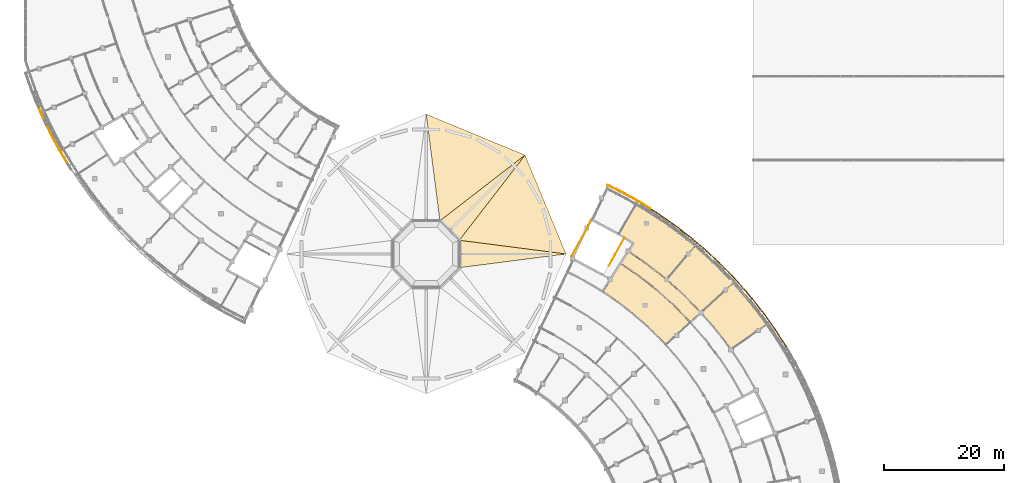
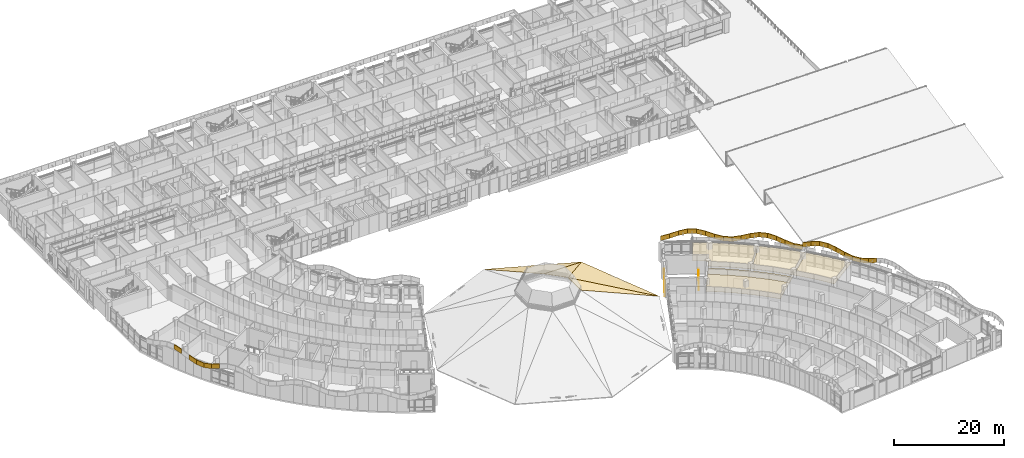
# One storey, part 121 of 137: 39 coverings, 2 railings.
"""IFC4 building model written with IfcOpenShell, lengths in metres."""

from ifc_helpers import new_model, si_unit, direction, frame, origin, origin_2d, place, context, subcontext, project, spatial, polyline, circle, outline, extrude, material, layer, layer_set, type_object, element, save


model = new_model("IFC4")

# Units and contexts
model_context = context("Model", 3, precision=1e-05, world=origin(), true_north=direction((0.0, 1.0)))
body_context = subcontext(model_context, "Body", "Model", "MODEL_VIEW")
ifc_project = project(units=[si_unit("LENGTHUNIT", "METRE"), si_unit("AREAUNIT", "SQUARE_METRE"), si_unit("VOLUMEUNIT", "CUBIC_METRE"), si_unit("PLANEANGLEUNIT", "RADIAN"), si_unit("MASSUNIT", "GRAM", prefix="KILO")], contexts=[model_context])

# Site, building, storey
site_placement = place(None, origin())
site = spatial("IfcSite", under=ifc_project, at=site_placement, CompositionType="ELEMENT")
building_placement = place(site_placement, origin())
building = spatial("IfcBuilding", under=site, at=building_placement, Name="Bougainvillea Quay General Hospital", CompositionType="ELEMENT")
storey_placement = place(building_placement, frame((0.0, 0.0, 16.800048828125)))
storey = spatial("IfcBuildingStorey", under=building, at=storey_placement, Name="L03", CompositionType="ELEMENT", Elevation=16.800048828125)

# Coverings
ifc_material_1 = material(Name="Powder-coated aluminium fascia, red", Category="aluminium")
ifc_layer_1 = layer(ifc_material_1, 0.14990234375)
ifc_layer_set_1 = layer_set([ifc_layer_1], Name="Powder-coated aluminium fascia, red")
covering_type_1 = type_object("IfcCoveringType", Name="Aluminium wave fascia ribbon red 150x1000", PredefinedType="CLADDING", material=ifc_layer_set_1)
covering_1_placement = place(storey_placement, frame((44.64013671875, 98.17724609375, 4.474609375), z_axis=(0.088535373771, -0.197292356848, 0.976338677673), x_axis=(0.396705177495, -0.892111388261, -0.216245862583)))
element("IfcCovering", 1, at=covering_1_placement, inside=storey, type_object=covering_type_1, Name="Fascia ribbon red a01 5", PredefinedType="CLADDING", context=body_context, shape_type="SweptSolid", body=[
    extrude(outline(polyline([(0.0, 0.0), (1.6696436418658671, -1.5504091066542713e-17), (1.6714100657464934, -0.14987304292022158), (-0.001901330484022671, -0.1501449625719719), (0.0, 0.0)])), origin(), (-0.216245862583, -0.000716515763, 0.976338677673), 1.0),
])
covering_2_placement = place(storey_placement, frame((45.999267578125, 95.214111328125, 3.514404296875), z_axis=(0.129574212223, -0.258207776808, 0.957360573411), x_axis=(0.429291347924, -0.85571502684, -0.288895710314)))
element("IfcCovering", 2, at=covering_2_placement, inside=storey, type_object=covering_type_1, Name="Fascia ribbon red a01 7", PredefinedType="CLADDING", context=body_context, shape_type="SweptSolid", body=[
    extrude(outline(polyline([(0.0, 0.0), (1.702646859481912, 3.300040362502754e-18), (1.7045475549734825, -0.15001994275865757), (-0.0018672287511904257, -0.1499060927871428), (0.0, 0.0)])), origin(), (-0.288895710314, -3.223594e-05, 0.957360573411), 1.0),
])
covering_3_placement = place(storey_placement, frame((46.730224609375, 93.757080078125, 3.022216796875), z_axis=(0.029796781615, -0.056030343245, 0.997984344788), x_axis=(0.467885293385, -0.881507859981, -0.063460578521)))
element("IfcCovering", 3, at=covering_3_placement, inside=storey, type_object=covering_type_1, Name="Fascia ribbon red a01 8", PredefinedType="CLADDING", context=body_context, shape_type="SweptSolid", body=[
    extrude(outline(polyline([(0.0, 0.0), (1.633212915989829, -1.6912876264416066e-16), (1.6351460473712085, -0.14999933704123503), (-0.0016952183233290847, -0.15002088914945402), (0.0, 0.0)])), origin(), (-0.063460578521, -5.0323608e-05, 0.997984344788), 1.0),
])
covering_4_placement = place(storey_placement, frame((47.494384765625, 92.3173828125, 2.918701171875), z_axis=(-0.101209773988, 0.180059249072, 0.97843510182), x_axis=(0.478749277358, -0.853307918315, 0.206554414065)))
element("IfcCovering", 4, at=covering_4_placement, inside=storey, type_object=covering_type_1, Name="Fascia ribbon red a01 9", PredefinedType="CLADDING", context=body_context, shape_type="SweptSolid", body=[
    extrude(outline(polyline([(0.0, 0.0), (1.6660467825463312, 1.1268926330271212e-17), (1.6678723366923331, -0.1499464494501083), (-0.001593403077977143, -0.1500033449136672), (0.0, 0.0)])), origin(), (0.206554414065, 0.00015986618, 0.97843510182), 1.0),
])
covering_5_placement = place(storey_placement, frame((48.2919921875, 90.895751953125, 3.263427734375), z_axis=(-0.174552972388, 0.294732415038, 0.939502029459), x_axis=(0.478539909912, -0.808494666044, 0.342543325143)))
element("IfcCovering", 5, at=covering_5_placement, inside=storey, type_object=covering_type_1, Name="Fascia ribbon red a01 10", PredefinedType="CLADDING", context=body_context, shape_type="SweptSolid", body=[
    extrude(outline(polyline([(0.0, 0.0), (1.7350769135978665, 4.1131919918668824e-17), (1.736957767049844, -0.14996981632652395), (-0.0018073729427414997, -0.14994826273386894), (0.0, 0.0)])), origin(), (0.342543325143, 8.3923777e-05, 0.939502029459), 1.0),
])
covering_6_placement = place(storey_placement, frame((160.421142578125, 70.15087890625, 2.938720703125), z_axis=(0.01943502441, -0.019979295805, 0.999611478308), x_axis=(-0.692980251999, 0.720417588809, 0.027872353237)))
element("IfcCovering", 6, at=covering_6_placement, inside=storey, type_object=covering_type_1, Name="Fascia ribbon red a10 1", PredefinedType="CLADDING", context=body_context, shape_type="SweptSolid", body=[
    extrude(outline(polyline([(0.0, 0.0), (1.6283558341468687, 1.0105103060743803e-17), (1.6300586247721616, -0.15001370542646486), (-2.254853584902905e-05, -0.1500472037747733), (0.0, 0.0)])), origin(), (0.027872353237, 0.000156075982, 0.999611478308), 1.0),
])
covering_7_placement = place(storey_placement, frame((159.292724609375, 71.323974609375, 2.984375), z_axis=(0.190840678841, -0.189527554904, 0.96315063268), x_axis=(-0.683639863933, 0.678450946082, 0.268962544237)))
element("IfcCovering", 7, at=covering_7_placement, inside=storey, type_object=covering_type_1, Name="Fascia ribbon red a10 2", PredefinedType="CLADDING", context=body_context, shape_type="SweptSolid", body=[
    extrude(outline(polyline([(0.0, 0.0), (1.6938126429168174, 8.661420105443574e-17), (1.695555057601261, -0.15002596622946035), (-0.0018456610668003187, -0.15001281214801535), (0.0, 0.0)])), origin(), (0.268962544237, -9.2552735e-05, 0.96315063268), 1.0),
])
covering_8_placement = place(storey_placement, frame((158.134765625, 72.47314453125, 3.4404296875), z_axis=(0.251819360334, -0.239602022803, 0.937644858371), x_axis=(-0.68080400892, 0.644735889456, 0.347593921533)))
element("IfcCovering", 8, at=covering_8_placement, inside=storey, type_object=covering_type_1, Name="Fascia ribbon red a10 3", PredefinedType="CLADDING", context=body_context, shape_type="SweptSolid", body=[
    extrude(outline(polyline([(0.0, 0.0), (1.7396208659829075, 1.6620819304202783e-16), (1.7415552888807282, -0.14995008327842738), (-0.0018922793971837448, -0.1500241396056143), (0.0, 0.0)])), origin(), (0.347593921533, -0.000765038403, 0.937644858371), 1.0),
])
covering_9_placement = place(storey_placement, frame((156.950439453125, 73.5947265625, 4.045654296875), z_axis=(0.178764791517, -0.162757985448, 0.970336533109), x_axis=(-0.719683951708, 0.650852220652, 0.241756895508)))
element("IfcCovering", 9, at=covering_9_placement, inside=storey, type_object=covering_type_1, Name="Fascia ribbon red a10 4", PredefinedType="CLADDING", context=body_context, shape_type="SweptSolid", body=[
    extrude(outline(polyline([(0.0, 0.0), (1.6812496456665464, -2.7863995832877464e-16), (1.6829498817373216, -0.14994378451723964), (-0.0016639680770464006, -0.14995174392046506), (0.0, 0.0)])), origin(), (0.241756895508, -0.000784848606, 0.970336533109), 1.0),
])
covering_10_placement = place(storey_placement, frame((155.740478515625, 74.68896484375, 4.452392578125), z_axis=(-0.011761466701, 0.01016626239, 0.999879150203), x_axis=(-0.757037652792, 0.653186273169, -0.015546214944)))
element("IfcCovering", 10, at=covering_10_placement, inside=storey, type_object=covering_type_1, Name="Fascia ribbon red a10 5", PredefinedType="CLADDING", context=body_context, shape_type="SweptSolid", body=[
    extrude(outline(polyline([(0.0, 0.0), (1.631501067922496, 7.330223125538715e-17), (1.6331020082571388, -0.14985024360218493), (-0.0018673435128252897, -0.14994100485900574), (0.0, 0.0)])), origin(), (-0.015546214944, 1.3814816e-05, 0.999879150203), 1.0),
])
covering_11_placement = place(storey_placement, frame((154.50537109375, 75.754638671875, 4.4267578125), z_axis=(-0.202033367544, 0.166443101321, 0.965131707293), x_axis=(-0.745139436318, 0.613389307463, -0.261764737757)))
element("IfcCovering", 11, at=covering_11_placement, inside=storey, type_object=covering_type_1, Name="Fascia ribbon red a10 6", PredefinedType="CLADDING", context=body_context, shape_type="SweptSolid", body=[
    extrude(outline(polyline([(0.0, 0.0), (1.689989725789665, -5.2366964931049864e-17), (1.6918106058599927, -0.15002523313698551), (-0.0019333889299564153, -0.14984712096025582), (0.0, 0.0)])), origin(), (-0.261764737757, 9.8211295e-05, 0.965131707293), 1.0),
])
covering_12_placement = place(storey_placement, frame((153.24609375, 76.791259765625, 3.983642578125), z_axis=(-0.274070861506, 0.214370881018, 0.93751282031), x_axis=(-0.737436758287, 0.578893465108, -0.347950260214)))
element("IfcCovering", 12, at=covering_12_placement, inside=storey, type_object=covering_type_1, Name="Fascia ribbon red a10 7", PredefinedType="CLADDING", context=body_context, shape_type="SweptSolid", body=[
    extrude(outline(polyline([(0.0, 0.0), (1.7400875693165878, 2.3505503099485736e-16), (1.741751551354889, -0.14990364520310345), (-0.001871834212452697, -0.15002559923463815), (0.0, 0.0)])), origin(), (-0.347950260214, -0.000572863134, 0.93751282031), 1.0),
])
covering_13_placement = place(storey_placement, frame((151.962890625, 77.798583984375, 3.377685546875), z_axis=(-0.199903039623, 0.149673079514, 0.968316448285), x_axis=(-0.775383006002, 0.580015473495, -0.249726339239)))
element("IfcCovering", 13, at=covering_13_placement, inside=storey, type_object=covering_type_1, Name="Fascia ribbon red a10 8", PredefinedType="CLADDING", context=body_context, shape_type="SweptSolid", body=[
    extrude(outline(polyline([(0.0, 0.0), (1.6845213597525277, 1.2302984152279262e-16), (1.6863520431898642, -0.1499046834958493), (-0.0019592679031016575, -0.14990007583537368), (0.0, 0.0)])), origin(), (-0.249726339239, 0.000107106131, 0.968316448285), 1.0),
])
covering_14_placement = place(storey_placement, frame((150.65673828125, 78.775634765625, 2.956787109375), z_axis=(0.002800679317, -0.001994889463, 0.999994088288), x_axis=(-0.81444600009, 0.580229169853, 0.003438515452)))
element("IfcCovering", 14, at=covering_14_placement, inside=storey, type_object=covering_type_1, Name="Fascia ribbon red a10 9", PredefinedType="CLADDING", context=body_context, shape_type="SweptSolid", body=[
    extrude(outline(polyline([(0.0, 0.0), (1.6313092553386748, -2.4408842561908766e-17), (1.6330536852078907, -0.1501365488607557), (-0.0017177206507230508, -0.14990522592406397), (0.0, 0.0)])), origin(), (0.003438515452, 3.06091e-07, 0.999994088288), 1.0),
])
covering_15_placement = place(storey_placement, frame((149.328125, 79.72216796875, 2.962646484375), z_axis=(0.210454146165, -0.142785998873, 0.967120060224), x_axis=(-0.800369277849, 0.542890625029, 0.254320247584)))
element("IfcCovering", 15, at=covering_15_placement, inside=storey, type_object=covering_type_1, Name="Fascia ribbon red a10 10", PredefinedType="CLADDING", context=body_context, shape_type="SweptSolid", body=[
    extrude(outline(polyline([(0.0, 0.0), (1.6868324013656026, 1.3497639421086727e-16), (1.688576409011926, -0.14990670591947527), (-0.0017769754346645453, -0.15013695545463598), (0.0, 0.0)])), origin(), (0.254320247584, -2.7943853e-05, 0.967120060224), 1.0),
])
covering_16_placement = place(storey_placement, frame((147.97802734375, 80.637939453125, 3.39208984375), z_axis=(0.292905892321, -0.188118092541, 0.937452783612), x_axis=(-0.787903504301, 0.507962705503, 0.34811199021)))
element("IfcCovering", 16, at=covering_16_placement, inside=storey, type_object=covering_type_1, Name="Fascia ribbon red a10 11", PredefinedType="CLADDING", context=body_context, shape_type="SweptSolid", body=[
    extrude(outline(polyline([(0.0, 0.0), (1.7398850142292697, 8.673617379884035e-18), (1.7416409675826197, -0.14995904243134575), (-0.0019694137478922383, -0.1499049084773347), (0.0, 0.0)])), origin(), (0.34811199021, 0.000566365186, 0.937452783612), 1.0),
])
covering_17_placement = place(storey_placement, frame((146.607177734375, 81.521728515625, 3.998291015625), z_axis=(0.21954325736, -0.134409959855, 0.96629949852), x_axis=(-0.824017774645, 0.50470727189, 0.257420428037)))
element("IfcCovering", 17, at=covering_17_placement, inside=storey, type_object=covering_type_1, Name="Fascia ribbon red a10 12", PredefinedType="CLADDING", context=body_context, shape_type="SweptSolid", body=[
    extrude(outline(polyline([(0.0, 0.0), (1.688205571466832, 1.780802068307441e-16), (1.6900986358963979, -0.14975771298057383), (-0.0018361503374658022, -0.1499580871623774), (0.0, 0.0)])), origin(), (0.257420428037, 4.8882474e-05, 0.96629949852), 1.0),
])
covering_18_placement = place(storey_placement, frame((145.216064453125, 82.373779296875, 4.43310546875), z_axis=(0.007368271518, -0.004280813113, 0.999963690948), x_axis=(-0.864690457765, 0.502232810024, 0.00852154828)))
element("IfcCovering", 18, at=covering_18_placement, inside=storey, type_object=covering_type_1, Name="Fascia ribbon red a10 13", PredefinedType="CLADDING", context=body_context, shape_type="SweptSolid", body=[
    extrude(outline(polyline([(0.0, 0.0), (1.6313868417139212, 2.4232130313287838e-17), (1.6330209590625153, -0.15009967270258193), (-0.0016689728651777674, -0.14975958158523753), (0.0, 0.0)])), origin(), (0.00852154828, -9.90541e-07, 0.999963690948), 1.0),
])
covering_19_placement = place(storey_placement, frame((143.805419921875, 83.193115234375, 4.44677734375), z_axis=(-0.216212026943, 0.118147224119, 0.969171601337), x_axis=(-0.849124174524, 0.467206818024, -0.246385724891)))
element("IfcCovering", 19, at=covering_19_placement, inside=storey, type_object=covering_type_1, Name="Fascia ribbon red a10 14", PredefinedType="CLADDING", context=body_context, shape_type="SweptSolid", body=[
    extrude(outline(polyline([(0.0, 0.0), (1.6831678283962972, -8.814563662307151e-17), (1.6849321034162956, -0.15006461436646834), (-0.0019096066132189302, -0.15009718903907535), (0.0, 0.0)])), origin(), (-0.246385724891, -0.000694068974, 0.969171601337), 1.0),
])
covering_20_placement = place(storey_placement, frame((142.376220703125, 83.9794921875, 4.031494140625), z_axis=(-0.308957332455, 0.159854368622, 0.937545704249), x_axis=(-0.831606644076, 0.432923789926, -0.347861152824)))
element("IfcCovering", 20, at=covering_20_placement, inside=storey, type_object=covering_type_1, Name="Fascia ribbon red a10 15", PredefinedType="CLADDING", context=body_context, shape_type="SweptSolid", body=[
    extrude(outline(polyline([(0.0, 0.0), (1.7397506500413442, -1.6382294826255972e-16), (1.7416019485706025, -0.14989905907416406), (-0.001846878930866029, -0.15006523161215946), (0.0, 0.0)])), origin(), (-0.347861152824, -0.000819024261, 0.937545704249), 1.0),
])
covering_21_placement = place(storey_placement, frame((140.929443359375, 84.732666015625, 3.42578125), z_axis=(-0.237910350035, 0.116875716659, 0.964229605541), x_axis=(-0.865448454184, 0.425132573904, -0.265068420896)))
element("IfcCovering", 21, at=covering_21_placement, inside=storey, type_object=covering_type_1, Name="Fascia ribbon red a10 16", PredefinedType="CLADDING", context=body_context, shape_type="SweptSolid", body=[
    extrude(outline(polyline([(0.0, 0.0), (1.68834696803499, -5.642933494608149e-17), (1.6882765376485551, -0.14991147113557218), (-0.0017789814822864634, -0.14989993775893512), (0.0, 0.0)])), origin(), (-0.265068420896, 6.468845e-06, 0.964229605541), 1.0),
])
covering_22_placement = place(storey_placement, frame((169.29345703125, 58.482177734375, 4.02880859375), z_axis=(-0.183995274427, 0.295241648042, 0.937538323617), x_axis=(-0.49584709729, 0.795684462846, -0.347882008293)))
element("IfcCovering", 22, at=covering_22_placement, inside=storey, type_object=covering_type_1, Name="Fascia ribbon red a14 20", PredefinedType="CLADDING", context=body_context, shape_type="SweptSolid", body=[
    extrude(outline(polyline([(0.0, 0.0), (1.7400023752888063, 1.209766336586482e-16), (1.7418496425814443, -0.1500693700708946), (-0.001840827259350245, -0.14997031995426258), (0.0, 0.0)])), origin(), (-0.347882008293, -7.466918e-06, 0.937538323617), 1.0),
])
covering_23_placement = place(storey_placement, frame((168.4306640625, 59.86669921875, 3.4228515625), z_axis=(-0.144699273172, 0.22069859469, 0.964548729015), x_axis=(-0.528956730958, 0.806572394949, -0.263904809506)))
element("IfcCovering", 23, at=covering_23_placement, inside=storey, type_object=covering_type_1, Name="Fascia ribbon red a14 21", PredefinedType="CLADDING", context=body_context, shape_type="SweptSolid", body=[
    extrude(outline(polyline([(0.0, 0.0), (1.6911219298308982, -4.5766884206044356e-17), (1.692932039278575, -0.15004185029849154), (-0.0018437337713359768, -0.15006845176344485), (0.0, 0.0)])), origin(), (-0.263904809506, 2.9567864e-05, 0.964548729015), 1.0),
])
covering_24_placement = place(storey_placement, frame((167.5361328125, 61.230712890625, 2.976318359375), z_axis=(-0.01086263049, 0.01574925796, 0.999816965315), x_axis=(-0.56754861643, 0.823117568837, -0.01913206366)))
element("IfcCovering", 24, at=covering_24_placement, inside=storey, type_object=covering_type_1, Name="Fascia ribbon red a14 22", PredefinedType="CLADDING", context=body_context, shape_type="SweptSolid", body=[
    extrude(outline(polyline([(0.0, 0.0), (1.631623670029551, -3.642919299551295e-17), (1.6334052451002423, -0.1500969990234308), (-0.0017383955732261508, -0.15004190016747385), (0.0, 0.0)])), origin(), (-0.01913206366, -2.752435e-06, 0.999816965315), 1.0),
])
covering_25_placement = place(storey_placement, frame((166.610107421875, 62.57373046875, 2.945068359375), z_axis=(0.13976671345, -0.194228610454, 0.970948254385), x_axis=(-0.56946751581, 0.786414483864, 0.239288545495)))
element("IfcCovering", 25, at=covering_25_placement, inside=storey, type_object=covering_type_1, Name="Fascia ribbon red a14 23", PredefinedType="CLADDING", context=body_context, shape_type="SweptSolid", body=[
    extrude(outline(polyline([(0.0, 0.0), (1.6801578651281839, 2.636237582398504e-16), (1.6820032735488162, -0.14989355734706397), (-0.0016930761011657298, -0.15009821418667155), (0.0, 0.0)])), origin(), (0.239288545495, -0.000692316475, 0.970948254385), 1.0),
])
covering_26_placement = place(storey_placement, frame((165.6533203125, 63.89501953125, 3.34765625), z_axis=(0.209515593479, -0.277044396845, 0.937736433261), x_axis=(-0.567547616295, 0.746485110205, 0.347346633034)))
element("IfcCovering", 26, at=covering_26_placement, inside=storey, type_object=covering_type_1, Name="Fascia ribbon red a14 24", PredefinedType="CLADDING", context=body_context, shape_type="SweptSolid", body=[
    extrude(outline(polyline([(0.0, 0.0), (1.7395995552335584, 7.134050294954619e-17), (1.7413589137646068, -0.1499649699288236), (-0.0017778607823753945, -0.1498943852016538), (0.0, 0.0)])), origin(), (0.347346633034, -0.000835616149, 0.937736433261), 1.0),
])
covering_27_placement = place(storey_placement, frame((164.666015625, 65.193603515625, 3.95263671875), z_axis=(0.168851506407, -0.212112807394, 0.962547310901), x_axis=(-0.600138362327, 0.752549881206, 0.271113670552)))
element("IfcCovering", 27, at=covering_27_placement, inside=storey, type_object=covering_type_1, Name="Fascia ribbon red a14 25", PredefinedType="CLADDING", context=body_context, shape_type="SweptSolid", body=[
    extrude(outline(polyline([(0.0, 0.0), (1.694759014856865, -1.1691765177540558e-16), (1.6964352162195373, -0.14991841916574614), (-0.0019282294567652355, -0.1499619000753327), (0.0, 0.0)])), origin(), (0.271113670552, -0.00022785177, 0.962547310901), 1.0),
])
covering_28_placement = place(storey_placement, frame((163.64892578125, 66.468994140625, 4.412353515625), z_axis=(0.019929456563, -0.023849590785, 0.999516890193), x_axis=(-0.641301270206, 0.766659438641, 0.031080314897)))
element("IfcCovering", 28, at=covering_28_placement, inside=storey, type_object=covering_type_1, Name="Fascia ribbon red a14 26", PredefinedType="CLADDING", context=body_context, shape_type="SweptSolid", body=[
    extrude(outline(polyline([(0.0, 0.0), (1.6320441586692624, 5.199427043425797e-17), (1.633796131879732, -0.1501092532077251), (-0.0019032085999678983, -0.149914903211618), (0.0, 0.0)])), origin(), (0.031080314897, -1.5666884e-05, 0.999516890193), 1.0),
])
covering_29_placement = place(storey_placement, frame((162.602294921875, 67.72021484375, 4.462890625), z_axis=(-0.152916005999, 0.173022706297, 0.972974736679), x_axis=(-0.64129608449, 0.731724020183, -0.230909701628)))
element("IfcCovering", 29, at=covering_29_placement, inside=storey, type_object=covering_type_1, Name="Fascia ribbon red a14 27", PredefinedType="CLADDING", context=body_context, shape_type="SweptSolid", body=[
    extrude(outline(polyline([(0.0, 0.0), (1.6766122910870174, -6.21247844834194e-17), (1.6785403114446398, -0.15004394379645272), (-0.0017718463835375412, -0.1501098117662642), (0.0, 0.0)])), origin(), (-0.230909701628, -0.000933530584, 0.972974736679), 1.0),
])
covering_30_placement = place(storey_placement, frame((161.527099609375, 68.947021484375, 4.0751953125), z_axis=(-0.234760150151, 0.25491854941, 0.938032091705), x_axis=(-0.634481868214, 0.69089591818, -0.346548105102)))
element("IfcCovering", 30, at=covering_30_placement, inside=storey, type_object=covering_type_1, Name="Fascia ribbon red a14 28", PredefinedType="CLADDING", context=body_context, shape_type="SweptSolid", body=[
    extrude(outline(polyline([(0.0, 0.0), (1.7353640289779546, -1.3341107732434132e-16), (1.7353621773329595, -0.15015440579561948), (-0.0017186610637115614, -0.1500480720637602), (0.0, 0.0)])), origin(), (-0.346548105102, -0.000453632019, 0.938032091705), 1.0),
])

# Railings
ifc_material_2 = material(Name="Stainless steel 304 balustrade", Category="steel")
railing_type = type_object("IfcRailingType", Name="Stair guard 1100", PredefinedType="GUARDRAIL", material=ifc_material_2)
railing_1_placement = place(storey_placement, frame((142.337646484375, 76.688720703125, 0.0)))
element("IfcRailing", 31, at=railing_1_placement, inside=storey, type_object=railing_type, Name="L03 ST-E1 top well guard 1", PredefinedType="GUARDRAIL", context=body_context, shape_type="SweptSolid", body=[
    extrude(circle(Radius=0.02392578125, at=origin_2d()), frame((0.0, 0.0, 1.076171875), z_axis=(-0.48720056452, -0.873290106397, 0.0), x_axis=(0.873290106397, -0.48720056452, 0.0)), (0.0, 0.0, 1.0), 5.30712890625),
    extrude(circle(Radius=0.02099609375, at=origin_2d()), origin(), (0.0, 0.0, 1.0), 1.052001953125),
    extrude(circle(Radius=0.02099609375, at=origin_2d()), frame((-0.51708984375, -0.927001953125, 0.0)), (0.0, 0.0, 1.0), 1.052001953125),
    extrude(circle(Radius=0.02099609375, at=origin_2d()), frame((-1.0341796875, -1.85400390625, 0.0)), (0.0, 0.0, 1.0), 1.052001953125),
    extrude(circle(Radius=0.02099609375, at=origin_2d()), frame((-1.551513671875, -2.78076171875, 0.0)), (0.0, 0.0, 1.0), 1.052001953125),
    extrude(circle(Radius=0.02099609375, at=origin_2d()), frame((-2.068603515625, -3.707763671875, 0.0)), (0.0, 0.0, 1.0), 1.052001953125),
    extrude(circle(Radius=0.02099609375, at=origin_2d()), frame((-2.585693359375, -4.634765625, 0.0)), (0.0, 0.0, 1.0), 1.052001953125),
])
railing_2_placement = place(storey_placement, frame((136.93701171875, 79.816162109375, 0.0)))
element("IfcRailing", 32, at=railing_2_placement, inside=storey, type_object=railing_type, Name="L03 ST-E1 top well guard 2", PredefinedType="GUARDRAIL", context=body_context, shape_type="SweptSolid", body=[
    extrude(circle(Radius=0.02392578125, at=origin_2d()), frame((0.0, 0.0, 1.076171875), z_axis=(-0.48719739913, -0.873291872332, 0.0), x_axis=(0.873291872332, -0.48719739913, 0.0)), (0.0, 0.0, 1.0), 7.157470703125),
    extrude(circle(Radius=0.02099609375, at=origin_2d()), origin(), (0.0, 0.0, 1.0), 1.052001953125),
    extrude(circle(Radius=0.02099609375, at=origin_2d()), frame((-0.5810546875, -1.041748046875, 0.0)), (0.0, 0.0, 1.0), 1.052001953125),
    extrude(circle(Radius=0.02099609375, at=origin_2d()), frame((-1.162353515625, -2.08349609375, 0.0)), (0.0, 0.0, 1.0), 1.052001953125),
    extrude(circle(Radius=0.02099609375, at=origin_2d()), frame((-1.74365234375, -3.125244140625, 0.0)), (0.0, 0.0, 1.0), 1.052001953125),
    extrude(circle(Radius=0.02099609375, at=origin_2d()), frame((-2.32470703125, -4.1669921875, 0.0)), (0.0, 0.0, 1.0), 1.052001953125),
    extrude(circle(Radius=0.02099609375, at=origin_2d()), frame((-2.90576171875, -5.208740234375, 0.0)), (0.0, 0.0, 1.0), 1.052001953125),
    extrude(circle(Radius=0.02099609375, at=origin_2d()), frame((-3.487060546875, -6.25048828125, 0.0)), (0.0, 0.0, 1.0), 1.052001953125),
])

# Coverings
ifc_material_3 = material(Name="Standing seam zinc-titanium roofing, grey")
ifc_layer_2 = layer(ifc_material_3, 0.0400390625)
ifc_layer_set_2 = layer_set([ifc_layer_2], Name="Standing seam zinc-titanium roofing, grey")
covering_type_2 = type_object("IfcCoveringType", Name="Standing seam metal roofing RP1 40", PredefinedType="ROOFING", material=ifc_layer_set_2)
covering_31_placement = place(storey_placement, frame((114.742919921875, 76.2958984375, 9.0), z_axis=(0.461666102228, 0.191238782655, 0.866194053352), x_axis=(0.886954013676, -0.114163719968, -0.447525667048)))
element("IfcCovering", 33, at=covering_31_placement, inside=storey, type_object=covering_type_2, Name="Roof covering RP101", PredefinedType="ROOFING", context=body_context, shape_type="SweptSolid", body=[
    extrude(outline(polyline([(0.0, 0.0), (20.110578370564692, -8.881784197001252e-16), (12.14923648060312, 16.02562203564081), (0.0, 0.0)])), origin(), (0.447525667048, 0.22232552546, -0.866194053352), 0.0400390625),
])
covering_32_placement = place(storey_placement, frame((125.73193359375, 90.531982421875, 0.0), z_axis=(0.318548773302, 0.318524822266, 0.892786993985), x_axis=(-0.546436851628, -0.707899830159, 0.447531672223)))
element("IfcCovering", 34, at=covering_32_placement, inside=storey, type_object=covering_type_2, Name="Roof covering RP102", PredefinedType="ROOFING", context=body_context, shape_type="SweptSolid", body=[
    extrude(outline(polyline([(0.0, 0.0), (20.110308518042036, 5.551115123125783e-16), (19.58589346645179, -4.561834571568428), (0.0, 0.0)])), origin(), (-0.447531672223, 0.051446921473, -0.892786993985), 0.0400390625),
])
covering_33_placement = place(storey_placement, frame((111.49609375, 79.54296875, 9.0), z_axis=(0.191234859872, 0.461673091242, 0.866191194364), x_axis=(0.707893773668, 0.546441547703, -0.447535518307)))
element("IfcCovering", 35, at=covering_33_placement, inside=storey, type_object=covering_type_2, Name="Roof covering RP103", PredefinedType="ROOFING", context=body_context, shape_type="SweptSolid", body=[
    extrude(outline(polyline([(0.0, 0.0), (20.11013569167438, 0.0), (12.149225556813082, 16.02573219487237), (0.0, 0.0)])), origin(), (0.447535518307, 0.222316833957, -0.866191194364), 0.0400390625),
])
covering_34_placement = place(storey_placement, frame((132.580078125, 74.0, 0.0), z_axis=(0.450470868348, 0.0, 0.892791127179), x_axis=(-0.886954013676, -0.114163719968, 0.447525667048)))
element("IfcCovering", 36, at=covering_34_placement, inside=storey, type_object=covering_type_2, Name="Roof covering RP116", PredefinedType="ROOFING", context=body_context, shape_type="SweptSolid", body=[
    extrude(outline(polyline([(0.0, 0.0), (20.110578370564692, 2.220446049250313e-16), (19.586361757975354, -4.561775475003689), (0.0, 0.0)])), origin(), (-0.447525667048, 0.051427430068, -0.892791127179), 0.0400390625),
])
ifc_material_4 = material(Name="Mineral fibre ceiling tile")
ifc_layer_3 = layer(ifc_material_4, 0.030029296875)
ifc_layer_set_3 = layer_set([ifc_layer_3], Name="Mineral fibre ceiling tile")
covering_type_3 = type_object("IfcCoveringType", Name="Suspended ceiling mineral fibre tile", PredefinedType="CEILING", material=ifc_layer_set_3)
covering_35_placement = place(storey_placement, frame((0.0, 0.0, 2.39990234375)))
element("IfcCovering", 37, at=covering_35_placement, inside=storey, type_object=covering_type_3, Name="Ceiling Clinic Corridor 03E1", PredefinedType="CEILING", context=body_context, shape_type="SweptSolid", body=[
    extrude(outline(polyline([(143.014404296875, 74.3525390625), (141.794921875, 72.461669921875), (144.8466796875, 70.352783203125), (144.849609375, 70.3564453125), (144.906494140625, 70.311279296875), (144.96630859375, 70.27001953125), (144.963623046875, 70.266357421875), (147.858154296875, 67.9814453125), (147.861328125, 67.98486328125), (147.915283203125, 67.936279296875), (147.972412109375, 67.891357421875), (147.969482421875, 67.8876953125), (150.711181640625, 65.42236328125), (150.715087890625, 65.426025390625), (150.76513671875, 65.3740234375), (150.81884765625, 65.32568359375), (150.8154296875, 65.32177734375), (153.352783203125, 62.684814453125), (155.00830078125, 64.206298828125), (152.32177734375, 66.9990234375), (149.36474609375, 69.65673828125), (146.244384765625, 72.12060546875), (143.014404296875, 74.3525390625)])), origin(), (0.0, 0.0, 1.0), 0.030029296875),
])
covering_36_placement = place(storey_placement, frame((0.0, 0.0, 2.699951171875)))
element("IfcCovering", 38, at=covering_36_placement, inside=storey, type_object=covering_type_3, Name="Ceiling Travel Waiting Hall 03E101", PredefinedType="CEILING", context=body_context, shape_type="SweptSolid", body=[
    extrude(outline(polyline([(141.578369140625, 65.808349609375), (141.638671875, 65.765380859375), (141.637451171875, 65.763671875), (142.611328125, 65.02490234375), (142.612548828125, 65.0263671875), (142.670166015625, 64.980224609375), (142.72900390625, 64.935302734375), (142.727783203125, 64.933837890625), (143.92626953125, 63.969970703125), (143.927734375, 63.9716796875), (143.98388671875, 63.923828125), (144.04150390625, 63.87744140625), (144.0400390625, 63.875732421875), (145.20751953125, 62.876220703125), (145.208984375, 62.8779296875), (145.263671875, 62.828125), (145.31982421875, 62.7802734375), (145.318359375, 62.778564453125), (146.454833984375, 61.742431640625), (146.456298828125, 61.744140625), (146.50927734375, 61.692626953125), (146.56396484375, 61.642822265625), (146.5625, 61.641357421875), (147.667236328125, 60.571044921875), (147.669189453125, 60.572998046875), (147.72021484375, 60.52001953125), (147.77294921875, 60.46875), (147.771240234375, 60.466796875), (149.271240234375, 58.901123046875), (149.273193359375, 58.90283203125), (149.2890625, 58.885009765625), (153.277099609375, 62.54736328125), (150.660888671875, 65.26611328125), (147.818603515625, 67.821533203125), (144.8173828125, 70.190673828125), (141.71337890625, 72.33544921875), (140.07568359375, 69.795654296875), (140.11669921875, 69.77001953125), (140.115966796875, 69.768798828125), (140.1171875, 69.767822265625), (140.010986328125, 69.600341796875), (140.009765625, 69.60107421875), (138.802734375, 67.728515625), (140.103271484375, 66.859619140625), (140.1044921875, 66.861572265625), (140.16455078125, 66.818603515625), (140.22607421875, 66.777587890625), (140.224853515625, 66.77587890625), (141.518310546875, 65.851318359375), (141.51953125, 65.85302734375), (141.578369140625, 65.808349609375)])), origin(), (0.0, 0.0, 1.0), 0.030029296875),
])
covering_37_placement = place(storey_placement, frame((0.0, 0.0, 2.699951171875)))
element("IfcCovering", 39, at=covering_37_placement, inside=storey, type_object=covering_type_3, Name="Ceiling Travel Consulting Room 03E111", PredefinedType="CEILING", context=body_context, shape_type="SweptSolid", body=[
    extrude(outline(polyline([(142.130126953125, 76.935546875), (142.130859375, 76.936767578125), (142.21533203125, 76.88623046875), (142.214599609375, 76.884765625), (143.949951171875, 75.804931640625), (143.89697265625, 75.72021484375), (143.095947265625, 74.478515625), (146.273681640625, 72.28271484375), (146.276611328125, 72.286376953125), (146.33349609375, 72.241455078125), (146.393310546875, 72.199951171875), (146.390625, 72.1962890625), (149.404296875, 69.81640625), (149.4072265625, 69.81982421875), (149.424072265625, 69.804931640625), (154.236083984375, 75.514404296875), (152.365966796875, 77.038818359375), (150.614501953125, 78.36865234375), (148.82275390625, 79.642822265625), (146.991943359375, 80.85986328125), (145.124267578125, 82.01904296875), (144.422119140625, 82.4248046875), (141.455322265625, 77.326171875), (142.130126953125, 76.935546875)])), origin(), (0.0, 0.0, 1.0), 0.030029296875),
])
covering_38_placement = place(storey_placement, frame((0.0, 0.0, 2.699951171875)))
element("IfcCovering", 40, at=covering_38_placement, inside=storey, type_object=covering_type_3, Name="Ceiling Tropical Medicine Examination Room 03E112", PredefinedType="CEILING", context=body_context, shape_type="SweptSolid", body=[
    extrude(outline(polyline([(155.77099609375, 74.2548828125), (155.73828125, 74.21728515625), (154.3125, 75.449951171875), (149.500732421875, 69.740478515625), (149.518310546875, 69.726318359375), (149.515380859375, 69.72265625), (152.372314453125, 67.155517578125), (152.3759765625, 67.158935546875), (152.42626953125, 67.10693359375), (152.47998046875, 67.05859375), (152.476318359375, 67.0546875), (155.118896484375, 64.307861328125), (155.12353515625, 64.3095703125), (155.1552734375, 64.2734375), (160.6796875, 69.346435546875), (158.92626953125, 71.18994140625), (157.35546875, 72.728759765625), (156.501953125, 73.520263671875), (156.535888671875, 73.556884765625), (155.77099609375, 74.2548828125)])), origin(), (0.0, 0.0, 1.0), 0.030029296875),
])
covering_39_placement = place(storey_placement, frame((0.0, 0.0, 2.699951171875)))
element("IfcCovering", 41, at=covering_39_placement, inside=storey, type_object=covering_type_3, Name="Ceiling Immunisation Consulting Room 03E111", PredefinedType="CEILING", context=body_context, shape_type="SweptSolid", body=[
    extrude(outline(polyline([(164.742919921875, 64.593017578125), (164.703857421875, 64.56201171875), (163.337158203125, 66.286376953125), (162.599609375, 67.172119140625), (162.637939453125, 67.2041015625), (161.9560546875, 68.0), (161.918701171875, 67.966552734375), (160.74755859375, 69.27294921875), (155.222900390625, 64.19970703125), (155.25634765625, 64.1650390625), (155.254150390625, 64.16064453125), (157.767333984375, 61.2939453125), (157.771728515625, 61.297119140625), (157.815185546875, 61.239501953125), (157.86279296875, 61.18505859375), (157.85888671875, 61.181640625), (160.17431640625, 58.117431640625), (160.17822265625, 58.119873046875), (160.190673828125, 58.10107421875), (166.285888671875, 62.40869140625), (165.33447265625, 63.725830078125), (165.375, 63.7548828125), (164.742919921875, 64.593017578125)])), origin(), (0.0, 0.0, 1.0), 0.030029296875),
])

save(model, "model.ifc")
